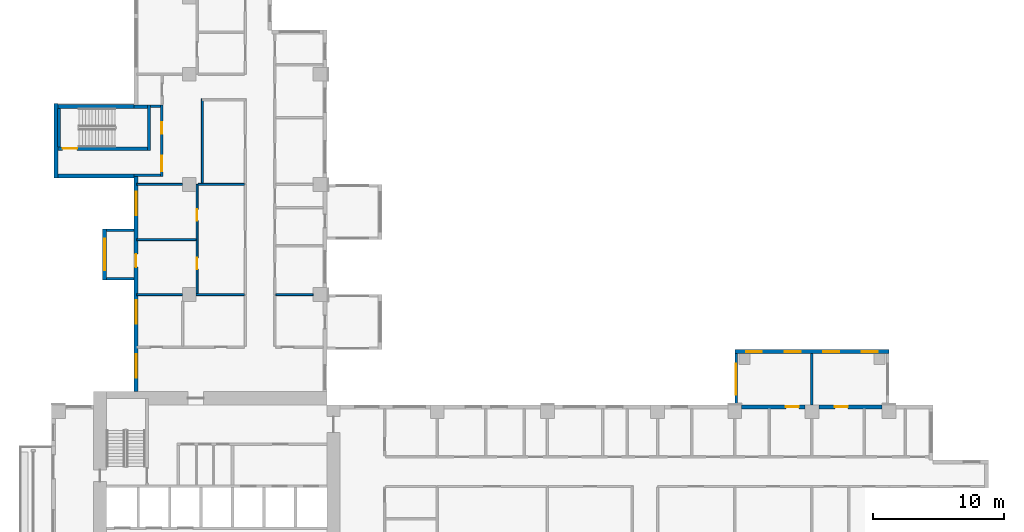
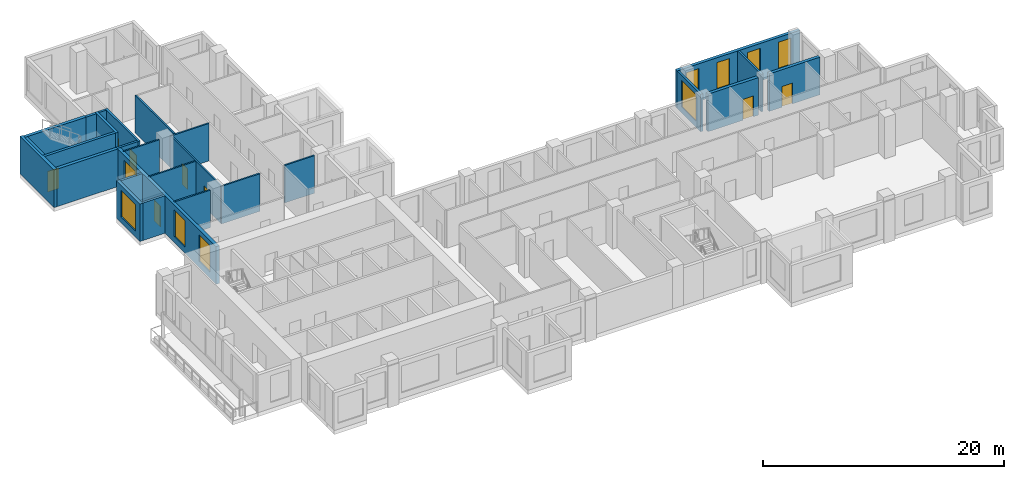
# One storey, part 6 of 14: 27 walls, 9 windows, 8 doors, 17 openings.
"""IFC4 building model written with IfcOpenShell, lengths in metres."""

from ifc_helpers import new_model, si_unit, direction, frame, frame_2d, origin, place, context, subcontext, project, spatial, rectangle, extrude, source, transform, mapped, material, layer, layer_set, type_object, element, fill, save


model = new_model("IFC4")

# Units and contexts
model_context = context("Model", 3, precision=1e-05, world=origin(), true_north=direction((0.0, 1.0)))
body_context = subcontext(model_context, "Body", "Model", "MODEL_VIEW")
ifc_project = project(units=[si_unit("LENGTHUNIT", "METRE"), si_unit("AREAUNIT", "SQUARE_METRE"), si_unit("VOLUMEUNIT", "CUBIC_METRE"), si_unit("PLANEANGLEUNIT", "RADIAN"), si_unit("MASSUNIT", "GRAM", prefix="KILO")], contexts=[model_context])

# Site, building, storey
site_placement = place(None, origin())
site = spatial("IfcSite", under=ifc_project, at=site_placement, CompositionType="ELEMENT")
building_placement = place(site_placement, origin())
building = spatial("IfcBuilding", under=site, at=building_placement, Name="Aurelian Terraces", CompositionType="ELEMENT")
storey_placement = place(building_placement, frame((0.0, 0.0, 111.9)))
storey = spatial("IfcBuildingStorey", under=building, at=storey_placement, Name="L24", CompositionType="ELEMENT", Elevation=111.9)

# Wall
ifc_material_1 = material(Name="Concrete fc' 40 MPa", Category="concrete")
ifc_layer_1 = layer(ifc_material_1, 0.2)
ifc_layer_set_1 = layer_set([ifc_layer_1], Name="BOX BEARING WALL 200")
wall_type_1 = type_object("IfcWallType", Name="BOX BEARING WALL 200", PredefinedType="SOLIDWALL", material=ifc_layer_set_1)
wall_1_placement = place(storey_placement, frame((6.3, 34.3, 0.0), z_axis=(0.0, 0.0, 1.0), x_axis=(-1.0, 0.0, 0.0)))
element("IfcWall", 1, at=wall_1_placement, inside=storey, type_object=wall_type_1, Name="Box return L24 J34.1", PredefinedType="SOLIDWALL", context=body_context, shape_type="SweptSolid", body=[
    extrude(rectangle(XDim=2.1, YDim=0.2, at=frame_2d((1.05, 0.0))), origin(), (0.0, 0.0, 1.0), 3.8),
])

# Wall, opening, window
ifc_layer_2 = layer(ifc_material_1, 0.3)
ifc_layer_set_2 = layer_set([ifc_layer_2], Name="BOX BEARING WALL 300")
wall_type_2 = type_object("IfcWallType", Name="BOX BEARING WALL 300", PredefinedType="SOLIDWALL", material=ifc_layer_set_2)
wall_2_placement = place(storey_placement, frame((4.05, 34.4, 0.0), z_axis=(0.0, 0.0, 1.0), x_axis=(0.0, -1.0, 0.0)))
wall_2 = element("IfcWall", 2, at=wall_2_placement, inside=storey, type_object=wall_type_2, Name="Box wall L24 J34", PredefinedType="SOLIDWALL", context=body_context, shape_type="SweptSolid", body=[
    extrude(rectangle(XDim=3.9, YDim=0.3, at=frame_2d((1.95, 0.0))), origin(), (0.0, 0.0, 1.0), 3.8),
])
shared_shape_1 = source(origin(), body_context, "Body", "SweptSolid", [
    extrude(rectangle(XDim=2.4, YDim=2.7, at=frame_2d((1.2, 1.35))), frame((0.0, 0.16, 0.0), z_axis=(0.0, -1.0, 0.0), x_axis=(1.0, 0.0, 0.0)), (0.0, 0.0, 1.0), 0.32),
])
opening_1_placement = place(wall_2_placement, frame((0.75, 0.0, 0.6)))
opening_1 = element("IfcOpeningElement", 3, at=opening_1_placement, cuts=wall_2, Name="Opening W2427", PredefinedType="OPENING", context=body_context, shape_type="MappedRepresentation", body=[
    mapped(shared_shape_1, transform((0.0, 0.0, 0.0), scale=1.0)),
])
ifc_material_2 = material(Name="Clear glazing", Category="glass")
window_type_1 = type_object("IfcWindowType", Name="W-2400x2700", PartitioningType="SINGLE_PANEL", PredefinedType="WINDOW", material=ifc_material_2)
shared_shape_2 = source(origin(), body_context, "Body", "SweptSolid", [
    extrude(rectangle(XDim=2.4, YDim=2.7, at=frame_2d((1.2, 1.35))), frame((0.0, 0.03, 0.0), z_axis=(0.0, -1.0, 0.0), x_axis=(1.0, 0.0, 0.0)), (0.0, 0.0, 1.0), 0.06),
])
window_1_placement = place(opening_1_placement, origin())
window_1 = element("IfcWindow", 4, at=window_1_placement, inside=storey, type_object=window_type_1, Name="Window L24 J34-F1", OverallHeight=2.7, OverallWidth=2.4, PartitioningType="SINGLE_PANEL", PredefinedType="WINDOW", context=body_context, shape_type="MappedRepresentation", body=[
    mapped(shared_shape_2, transform((0.0, 0.0, 0.0), scale=1.0)),
])
fill(opening_1, window_1)

shared_shape_3 = source(origin(), body_context, "Body", "SweptSolid", [
    extrude(rectangle(XDim=3.9, YDim=0.2, at=frame_2d((1.95, 0.0))), origin(), (0.0, 0.0, 1.0), 3.79),
])
wall_3_placement = place(storey_placement, frame((52.18, 21.0, 0.0), z_axis=(0.0, 0.0, 1.0), x_axis=(0.0, 1.0, 0.0)))
wall_3 = element("IfcWall", 5, at=wall_3_placement, inside=storey, type_object=wall_type_1, Name="Box return L24 K02.2", PredefinedType="SOLIDWALL", context=body_context, shape_type="MappedRepresentation", body=[
    mapped(shared_shape_3, transform((0.0, 0.0, 0.0), scale=1.0)),
])
shared_shape_4 = source(origin(), body_context, "Body", "SweptSolid", [
    extrude(rectangle(XDim=2.4, YDim=2.7, at=frame_2d((1.2, 1.35))), frame((0.0, 0.11, 0.0), z_axis=(0.0, -1.0, 0.0), x_axis=(1.0, 0.0, 0.0)), (0.0, 0.0, 1.0), 0.22),
])
opening_2_placement = place(wall_3_placement, frame((0.75, 0.0, 0.6)))
opening_2 = element("IfcOpeningElement", 6, at=opening_2_placement, cuts=wall_3, Name="Opening W2427", PredefinedType="OPENING", context=body_context, shape_type="MappedRepresentation", body=[
    mapped(shared_shape_4, transform((0.0, 0.0, 0.0), scale=1.0)),
])
window_2_placement = place(opening_2_placement, origin())
window_2 = element("IfcWindow", 7, at=window_2_placement, inside=storey, type_object=window_type_1, Name="Window L24 K02-S2", OverallHeight=2.7, OverallWidth=2.4, PartitioningType="SINGLE_PANEL", PredefinedType="WINDOW", context=body_context, shape_type="MappedRepresentation", body=[
    mapped(shared_shape_2, transform((0.0, 0.0, 0.0), scale=1.0)),
])
fill(opening_2, window_2)

# Wall, openings, windows
shared_shape_5 = source(origin(), body_context, "Body", "SweptSolid", [
    extrude(rectangle(XDim=11.76, YDim=0.3, at=frame_2d((5.88, 0.0))), origin(), (0.0, 0.0, 1.0), 3.79),
])
wall_4_placement = place(storey_placement, frame((63.84, 25.05, 0.0), z_axis=(0.0, 0.0, 1.0), x_axis=(-1.0, 0.0, 0.0)))
wall_4 = element("IfcWall", 8, at=wall_4_placement, inside=storey, type_object=wall_type_2, Name="Box wall L24 K02", PredefinedType="SOLIDWALL", context=body_context, shape_type="MappedRepresentation", body=[
    mapped(shared_shape_5, transform((0.0, 0.0, 0.0), scale=1.0)),
])
shared_shape_6 = source(origin(), body_context, "Body", "SweptSolid", [
    extrude(rectangle(XDim=1.2, YDim=2.7, at=frame_2d((0.6, 1.35))), frame((0.0, 0.16, 0.0), z_axis=(0.0, -1.0, 0.0), x_axis=(1.0, 0.0, 0.0)), (0.0, 0.0, 1.0), 0.32),
])
opening_3_placement = place(wall_4_placement, frame((0.87, 0.0, 0.6)))
opening_3 = element("IfcOpeningElement", 9, at=opening_3_placement, cuts=wall_4, Name="Opening W1227", PredefinedType="OPENING", context=body_context, shape_type="MappedRepresentation", body=[
    mapped(shared_shape_6, transform((0.0, 0.0, 0.0), scale=1.0)),
])
opening_4_placement = place(wall_4_placement, frame((3.81, 0.0, 0.6)))
opening_4 = element("IfcOpeningElement", 10, at=opening_4_placement, cuts=wall_4, Name="Opening W1227", PredefinedType="OPENING", context=body_context, shape_type="MappedRepresentation", body=[
    mapped(shared_shape_6, transform((0.0, 0.0, 0.0), scale=1.0)),
])
opening_5_placement = place(wall_4_placement, frame((6.75, 0.0, 0.6)))
opening_5 = element("IfcOpeningElement", 11, at=opening_5_placement, cuts=wall_4, Name="Opening W1227", PredefinedType="OPENING", context=body_context, shape_type="MappedRepresentation", body=[
    mapped(shared_shape_6, transform((0.0, 0.0, 0.0), scale=1.0)),
])
opening_6_placement = place(wall_4_placement, frame((9.69, 0.0, 0.6)))
opening_6 = element("IfcOpeningElement", 12, at=opening_6_placement, cuts=wall_4, Name="Opening W1227", PredefinedType="OPENING", context=body_context, shape_type="MappedRepresentation", body=[
    mapped(shared_shape_6, transform((0.0, 0.0, 0.0), scale=1.0)),
])
window_type_2 = type_object("IfcWindowType", Name="W-1200x2700", PartitioningType="SINGLE_PANEL", PredefinedType="WINDOW", material=ifc_material_2)
shared_shape_7 = source(origin(), body_context, "Body", "SweptSolid", [
    extrude(rectangle(XDim=1.2, YDim=2.7, at=frame_2d((0.6, 1.35))), frame((0.0, 0.03, 0.0), z_axis=(0.0, -1.0, 0.0), x_axis=(1.0, 0.0, 0.0)), (0.0, 0.0, 1.0), 0.06),
])
window_3_placement = place(opening_3_placement, origin())
window_3 = element("IfcWindow", 13, at=window_3_placement, inside=storey, type_object=window_type_2, Name="Window L24 K02-F1", OverallHeight=2.7, OverallWidth=1.2, PartitioningType="SINGLE_PANEL", PredefinedType="WINDOW", context=body_context, shape_type="MappedRepresentation", body=[
    mapped(shared_shape_7, transform((0.0, 0.0, 0.0), scale=1.0)),
])
fill(opening_3, window_3)
window_4_placement = place(opening_4_placement, origin())
window_4 = element("IfcWindow", 14, at=window_4_placement, inside=storey, type_object=window_type_2, Name="Window L24 K02-F2", OverallHeight=2.7, OverallWidth=1.2, PartitioningType="SINGLE_PANEL", PredefinedType="WINDOW", context=body_context, shape_type="MappedRepresentation", body=[
    mapped(shared_shape_7, transform((0.0, 0.0, 0.0), scale=1.0)),
])
fill(opening_4, window_4)
window_5_placement = place(opening_5_placement, origin())
window_5 = element("IfcWindow", 15, at=window_5_placement, inside=storey, type_object=window_type_2, Name="Window L24 K02-F3", OverallHeight=2.7, OverallWidth=1.2, PartitioningType="SINGLE_PANEL", PredefinedType="WINDOW", context=body_context, shape_type="MappedRepresentation", body=[
    mapped(shared_shape_7, transform((0.0, 0.0, 0.0), scale=1.0)),
])
fill(opening_5, window_5)
window_6_placement = place(opening_6_placement, origin())
window_6 = element("IfcWindow", 16, at=window_6_placement, inside=storey, type_object=window_type_2, Name="Window L24 K02-F4", OverallHeight=2.7, OverallWidth=1.2, PartitioningType="SINGLE_PANEL", PredefinedType="WINDOW", context=body_context, shape_type="MappedRepresentation", body=[
    mapped(shared_shape_7, transform((0.0, 0.0, 0.0), scale=1.0)),
])
fill(opening_6, window_6)

# Walls
shared_shape_8 = source(origin(), body_context, "Body", "SweptSolid", [
    extrude(rectangle(XDim=3.9, YDim=0.2, at=frame_2d((1.95, 0.0))), origin(), (0.0, 0.0, 1.0), 3.79),
])
wall_5_placement = place(storey_placement, frame((57.96, 21.0, 0.0), z_axis=(0.0, 0.0, 1.0), x_axis=(0.0, 1.0, 0.0)))
element("IfcWall", 17, at=wall_5_placement, inside=storey, type_object=wall_type_1, Name="Box partition L24 K02", PredefinedType="SOLIDWALL", context=body_context, shape_type="MappedRepresentation", body=[
    mapped(shared_shape_8, transform((0.0, 0.0, 0.0), scale=1.0)),
])
ifc_layer_3 = layer(ifc_material_1, 0.3)
ifc_layer_set_3 = layer_set([ifc_layer_3], Name="STAIR BAY WALL 300")
wall_type_3 = type_object("IfcWallType", Name="STAIR BAY WALL 300", PredefinedType="SOLIDWALL", material=ifc_layer_set_3)
shared_shape_9 = source(origin(), body_context, "Body", "SweptSolid", [
    extrude(rectangle(XDim=6.1, YDim=0.3, at=frame_2d((3.05, 0.0))), origin(), (0.0, 0.0, 1.0), 3.8),
])
for number, where, z_axis, x_axis, name in (
    (18, (6.3, 43.75, 0.0), (0.0, 0.0, 1.0), (-1.0, 0.0, 0.0), "Stair bay wall L24 F13.30"),
    (19, (0.2, 38.45, 0.0), (0.0, 0.0, 1.0), (1.0, 0.0, 0.0), "Stair bay wall L24 F15.32"),
):
    element("IfcWall", number, at=place(storey_placement, frame(where, z_axis=z_axis, x_axis=x_axis)), inside=storey, type_object=wall_type_3, Name=name, PredefinedType="SOLIDWALL", context=body_context, shape_type="MappedRepresentation", body=[
        mapped(shared_shape_9, transform((0.0, 0.0, 0.0), scale=1.0)),
    ])

# Wall, opening, door
ifc_material_3 = material(Name="Terracotta rainscreen cladding", Category="masonry")
ifc_layer_4 = layer(ifc_material_3, 0.3)
ifc_layer_set_4 = layer_set([ifc_layer_4], Name="EW-300")
wall_type_4 = type_object("IfcWallType", Name="EW-300", PredefinedType="STANDARD", material=ifc_layer_set_4)
shared_shape_10 = source(origin(), body_context, "Body", "SweptSolid", [
    extrude(rectangle(XDim=4.83, YDim=0.3, at=frame_2d((2.415, 0.0))), origin(), (0.0, 0.0, 1.0), 3.8),
])
wall_6_placement = place(storey_placement, frame((63.315, 20.85, 0.0), z_axis=(0.0, 0.0, 1.0), x_axis=(-1.0, 0.0, 0.0)))
wall_6 = element("IfcWall", 20, at=wall_6_placement, inside=storey, type_object=wall_type_4, Name="External wall L24 F07.19", PredefinedType="STANDARD", context=body_context, shape_type="MappedRepresentation", body=[
    mapped(shared_shape_10, transform((0.0, 0.0, 0.0), scale=1.0)),
])
shared_shape_11 = source(origin(), body_context, "Body", "SweptSolid", [
    extrude(rectangle(XDim=1.0, YDim=2.1, at=frame_2d((0.5, 1.05))), frame((0.0, 0.16, 0.0), z_axis=(0.0, -1.0, 0.0), x_axis=(1.0, 0.0, 0.0)), (0.0, 0.0, 1.0), 0.32),
])
opening_7_placement = place(wall_6_placement, frame((2.615, 0.0, 0.0)))
opening_7 = element("IfcOpeningElement", 21, at=opening_7_placement, cuts=wall_6, Name="Opening 824006", PredefinedType="OPENING", context=body_context, shape_type="MappedRepresentation", body=[
    mapped(shared_shape_11, transform((0.0, 0.0, 0.0), scale=1.0)),
])
ifc_material_4 = material(Name="Timber door leaf", Category="wood")
door_type_1 = type_object("IfcDoorType", Name="Room door 1000x2100 left", OperationType="SINGLE_SWING_LEFT", PredefinedType="DOOR", material=ifc_material_4)
shared_shape_12 = source(origin(), body_context, "Body", "SweptSolid", [
    extrude(rectangle(XDim=1.0, YDim=2.1, at=frame_2d((0.5, 1.05))), frame((0.0, 0.025, 0.0), z_axis=(0.0, -1.0, 0.0), x_axis=(1.0, 0.0, 0.0)), (0.0, 0.0, 1.0), 0.05),
])
door_1_placement = place(opening_7_placement, origin())
door_1 = element("IfcDoor", 22, at=door_1_placement, inside=storey, type_object=door_type_1, Name="Door 824006", OperationType="SINGLE_SWING_LEFT", OverallHeight=2.1, OverallWidth=1.0, PredefinedType="DOOR", context=body_context, shape_type="MappedRepresentation", body=[
    mapped(shared_shape_12, transform((0.0, 0.0, 0.0), scale=1.0)),
])
fill(opening_7, door_1)

wall_7_placement = place(storey_placement, frame((57.435, 20.85, 0.0), z_axis=(0.0, 0.0, 1.0), x_axis=(-1.0, 0.0, 0.0)))
wall_7 = element("IfcWall", 23, at=wall_7_placement, inside=storey, type_object=wall_type_4, Name="External wall L24 F07.19", PredefinedType="STANDARD", context=body_context, shape_type="MappedRepresentation", body=[
    mapped(shared_shape_10, transform((0.0, 0.0, 0.0), scale=1.0)),
])
opening_8_placement = place(wall_7_placement, frame((0.4683, 0.0, 0.0)))
opening_8 = element("IfcOpeningElement", 24, at=opening_8_placement, cuts=wall_7, Name="Opening 824007", PredefinedType="OPENING", context=body_context, shape_type="MappedRepresentation", body=[
    mapped(shared_shape_11, transform((0.0, 0.0, 0.0), scale=1.0)),
])
door_2_placement = place(opening_8_placement, origin())
door_2 = element("IfcDoor", 25, at=door_2_placement, inside=storey, type_object=door_type_1, Name="Door 824007", OperationType="SINGLE_SWING_LEFT", OverallHeight=2.1, OverallWidth=1.0, PredefinedType="DOOR", context=body_context, shape_type="MappedRepresentation", body=[
    mapped(shared_shape_12, transform((0.0, 0.0, 0.0), scale=1.0)),
])
fill(opening_8, door_2)

# Walls
shared_shape_13 = source(origin(), body_context, "Body", "SweptSolid", [
    extrude(rectangle(XDim=5.65, YDim=0.3, at=frame_2d((2.825, 0.0))), origin(), (0.0, 0.0, 1.0), 3.8),
])
wall_8_placement = place(storey_placement, frame((0.35, 43.95, 0.0), z_axis=(0.0, 0.0, 1.0), x_axis=(0.0, -1.0, 0.0)))
element("IfcWall", 26, at=wall_8_placement, inside=storey, type_object=wall_type_3, Name="Stair bay wall L24 F14.31", PredefinedType="SOLIDWALL", context=body_context, shape_type="MappedRepresentation", body=[
    mapped(shared_shape_13, transform((0.0, 0.0, 0.0), scale=1.0)),
])
shared_shape_14 = source(origin(), body_context, "Body", "SweptSolid", [
    extrude(rectangle(XDim=2.1, YDim=0.2, at=frame_2d((1.05, 0.0))), origin(), (0.0, 0.0, 1.0), 3.8),
])
wall_9_placement = place(storey_placement, frame((6.3, 30.6, 0.0), z_axis=(0.0, 0.0, 1.0), x_axis=(-1.0, 0.0, 0.0)))
element("IfcWall", 27, at=wall_9_placement, inside=storey, type_object=wall_type_1, Name="Box return L24 J34.2", PredefinedType="SOLIDWALL", context=body_context, shape_type="MappedRepresentation", body=[
    mapped(shared_shape_14, transform((0.0, 0.0, 0.0), scale=1.0)),
])

# Wall, openings, windows, door
shared_shape_15 = source(origin(), body_context, "Body", "SweptSolid", [
    extrude(rectangle(XDim=16.4, YDim=0.3, at=frame_2d((8.2, 0.0))), origin(), (0.0, 0.0, 1.0), 3.8),
])
wall_10_placement = place(storey_placement, frame((6.45, 38.4, 0.0), z_axis=(0.0, 0.0, 1.0), x_axis=(0.0, -1.0, 0.0)))
wall_10 = element("IfcWall", 28, at=wall_10_placement, inside=storey, type_object=wall_type_4, Name="External wall L24 F16.33", PredefinedType="STANDARD", context=body_context, shape_type="MappedRepresentation", body=[
    mapped(shared_shape_15, transform((0.0, 0.0, 0.0), scale=1.0)),
])
shared_shape_16 = source(origin(), body_context, "Body", "SweptSolid", [
    extrude(rectangle(XDim=1.8, YDim=2.7, at=frame_2d((0.9, 1.35))), frame((0.0, 0.16, 0.0), z_axis=(0.0, -1.0, 0.0), x_axis=(1.0, 0.0, 0.0)), (0.0, 0.0, 1.0), 0.32),
])
opening_9_placement = place(wall_10_placement, frame((1.15, 0.0, 0.6)))
opening_9 = element("IfcOpeningElement", 29, at=opening_9_placement, cuts=wall_10, Name="Opening W1827", PredefinedType="OPENING", context=body_context, shape_type="MappedRepresentation", body=[
    mapped(shared_shape_16, transform((0.0, 0.0, 0.0), scale=1.0)),
])
opening_10_placement = place(wall_10_placement, frame((9.4375, 0.0, 0.6)))
opening_10 = element("IfcOpeningElement", 30, at=opening_10_placement, cuts=wall_10, Name="Opening W1827", PredefinedType="OPENING", context=body_context, shape_type="MappedRepresentation", body=[
    mapped(shared_shape_16, transform((0.0, 0.0, 0.0), scale=1.0)),
])
opening_11_placement = place(wall_10_placement, frame((13.5375, 0.0, 0.6)))
opening_11 = element("IfcOpeningElement", 31, at=opening_11_placement, cuts=wall_10, Name="Opening W1827", PredefinedType="OPENING", context=body_context, shape_type="MappedRepresentation", body=[
    mapped(shared_shape_16, transform((0.0, 0.0, 0.0), scale=1.0)),
])
opening_12_placement = place(wall_10_placement, frame((5.9083, 0.0, 0.0)))
opening_12 = element("IfcOpeningElement", 32, at=opening_12_placement, cuts=wall_10, Name="Opening 824004", PredefinedType="OPENING", context=body_context, shape_type="MappedRepresentation", body=[
    mapped(shared_shape_11, transform((0.0, 0.0, 0.0), scale=1.0)),
])
window_type_3 = type_object("IfcWindowType", Name="W-1800x2700", PartitioningType="SINGLE_PANEL", PredefinedType="WINDOW", material=ifc_material_2)
shared_shape_17 = source(origin(), body_context, "Body", "SweptSolid", [
    extrude(rectangle(XDim=1.8, YDim=2.7, at=frame_2d((0.9, 1.35))), frame((0.0, 0.03, 0.0), z_axis=(0.0, -1.0, 0.0), x_axis=(1.0, 0.0, 0.0)), (0.0, 0.0, 1.0), 0.06),
])
window_7_placement = place(opening_9_placement, origin())
window_7 = element("IfcWindow", 33, at=window_7_placement, inside=storey, type_object=window_type_3, Name="Window L24 L24-F16-33-0", OverallHeight=2.7, OverallWidth=1.8, PartitioningType="SINGLE_PANEL", PredefinedType="WINDOW", context=body_context, shape_type="MappedRepresentation", body=[
    mapped(shared_shape_17, transform((0.0, 0.0, 0.0), scale=1.0)),
])
fill(opening_9, window_7)
window_8_placement = place(opening_10_placement, origin())
window_8 = element("IfcWindow", 34, at=window_8_placement, inside=storey, type_object=window_type_3, Name="Window L24 L24-F16-33-2", OverallHeight=2.7, OverallWidth=1.8, PartitioningType="SINGLE_PANEL", PredefinedType="WINDOW", context=body_context, shape_type="MappedRepresentation", body=[
    mapped(shared_shape_17, transform((0.0, 0.0, 0.0), scale=1.0)),
])
fill(opening_10, window_8)
window_9_placement = place(opening_11_placement, origin())
window_9 = element("IfcWindow", 35, at=window_9_placement, inside=storey, type_object=window_type_3, Name="Window L24 L24-F16-33-3", OverallHeight=2.7, OverallWidth=1.8, PartitioningType="SINGLE_PANEL", PredefinedType="WINDOW", context=body_context, shape_type="MappedRepresentation", body=[
    mapped(shared_shape_17, transform((0.0, 0.0, 0.0), scale=1.0)),
])
fill(opening_11, window_9)
door_3_placement = place(opening_12_placement, origin())
door_3 = element("IfcDoor", 36, at=door_3_placement, inside=storey, type_object=door_type_1, Name="Door 824004", OperationType="SINGLE_SWING_LEFT", OverallHeight=2.1, OverallWidth=1.0, PredefinedType="DOOR", context=body_context, shape_type="MappedRepresentation", body=[
    mapped(shared_shape_12, transform((0.0, 0.0, 0.0), scale=1.0)),
])
fill(opening_12, door_3)

# Wall, opening, door
ifc_layer_5 = layer(ifc_material_1, 0.25)
ifc_layer_set_5 = layer_set([ifc_layer_5], Name="Stair enclosure wall 250")
wall_type_5 = type_object("IfcWallType", Name="Stair enclosure wall 250", PredefinedType="SOLIDWALL", material=ifc_layer_set_5)
shared_shape_18 = source(origin(), body_context, "Body", "SweptSolid", [
    extrude(rectangle(XDim=7.0, YDim=0.25, at=frame_2d((3.5, 0.0))), origin(), (0.0, 0.0, 1.0), 3.8),
])
wall_11_placement = place(storey_placement, frame((0.3, 40.525, 0.0), z_axis=(0.0, 0.0, 1.0), x_axis=(1.0, 0.0, 0.0)))
wall_11 = element("IfcWall", 37, at=wall_11_placement, inside=storey, type_object=wall_type_5, Name="L24 core wall ST-S3-W", PredefinedType="SOLIDWALL", context=body_context, shape_type="MappedRepresentation", body=[
    mapped(shared_shape_18, transform((0.0, 0.0, 0.0), scale=1.0)),
])
shared_shape_19 = source(origin(), body_context, "Body", "SweptSolid", [
    extrude(rectangle(XDim=1.1, YDim=2.1, at=frame_2d((0.55, 1.05))), frame((0.0, 0.135, 0.0), z_axis=(0.0, -1.0, 0.0), x_axis=(1.0, 0.0, 0.0)), (0.0, 0.0, 1.0), 0.27),
])
opening_13_placement = place(wall_11_placement, frame((0.55, 0.0, 0.0)))
opening_13 = element("IfcOpeningElement", 38, at=opening_13_placement, cuts=wall_11, Name="Opening 62718", PredefinedType="OPENING", context=body_context, shape_type="MappedRepresentation", body=[
    mapped(shared_shape_19, transform((0.0, 0.0, 0.0), scale=1.0)),
])
ifc_material_5 = material(Name="Steel door leaf", Category="steel")
door_type_2 = type_object("IfcDoorType", Name="Core fire door 1100x2100 right", OperationType="SINGLE_SWING_RIGHT", PredefinedType="DOOR", material=ifc_material_5)
shared_shape_20 = source(origin(), body_context, "Body", "SweptSolid", [
    extrude(rectangle(XDim=1.1, YDim=2.1, at=frame_2d((0.55, 1.05))), frame((0.0, 0.025, 0.0), z_axis=(0.0, -1.0, 0.0), x_axis=(1.0, 0.0, 0.0)), (0.0, 0.0, 1.0), 0.05),
])
door_4_placement = place(opening_13_placement, origin())
door_4 = element("IfcDoor", 39, at=door_4_placement, inside=storey, type_object=door_type_2, Name="Stair door 62718", OperationType="SINGLE_SWING_RIGHT", OverallHeight=2.1, OverallWidth=1.1, PredefinedType="DOOR", context=body_context, shape_type="MappedRepresentation", body=[
    mapped(shared_shape_20, transform((0.0, 0.0, 0.0), scale=1.0)),
])
fill(opening_13, door_4)

# Walls
shared_shape_21 = source(origin(), body_context, "Body", "SweptSolid", [
    extrude(rectangle(XDim=3.45, YDim=0.25, at=frame_2d((1.725, 0.0))), origin(), (0.0, 0.0, 1.0), 3.8),
])
wall_12_placement = place(storey_placement, frame((7.425, 40.4, 0.0), z_axis=(0.0, 0.0, 1.0), x_axis=(0.0, 1.0, 0.0)))
element("IfcWall", 40, at=wall_12_placement, inside=storey, type_object=wall_type_5, Name="L24 core wall ST-S3-N", PredefinedType="SOLIDWALL", context=body_context, shape_type="MappedRepresentation", body=[
    mapped(shared_shape_21, transform((0.0, 0.0, 0.0), scale=1.0)),
])
shared_shape_22 = source(origin(), body_context, "Body", "SweptSolid", [
    extrude(rectangle(XDim=2.95, YDim=0.25, at=frame_2d((1.475, 0.0))), origin(), (0.0, 0.0, 1.0), 3.8),
])
wall_13_placement = place(storey_placement, frame((0.575, 40.65, 0.0), z_axis=(0.0, 0.0, 1.0), x_axis=(0.0, 1.0, 0.0)))
element("IfcWall", 41, at=wall_13_placement, inside=storey, type_object=wall_type_5, Name="L24 core wall ST-S3-SS", PredefinedType="SOLIDWALL", context=body_context, shape_type="MappedRepresentation", body=[
    mapped(shared_shape_22, transform((0.0, 0.0, 0.0), scale=1.0)),
])

# Wall, openings, doors
ifc_material_6 = material(Name="Gypsum board on steel studs", Category="steel")
ifc_layer_6 = layer(ifc_material_6, 0.2)
ifc_layer_set_6 = layer_set([ifc_layer_6], Name="Core partition 200")
wall_type_6 = type_object("IfcWallType", Name="Core partition 200", PredefinedType="PARTITIONING", material=ifc_layer_set_6)
shared_shape_23 = source(origin(), body_context, "Body", "SweptSolid", [
    extrude(rectangle(XDim=5.45, YDim=0.2, at=frame_2d((2.725, 0.0))), origin(), (0.0, 0.0, 1.0), 3.8),
])
wall_14_placement = place(storey_placement, frame((8.4, 38.4, 0.0), z_axis=(0.0, 0.0, 1.0), x_axis=(0.0, 1.0, 0.0)))
wall_14 = element("IfcWall", 42, at=wall_14_placement, inside=storey, type_object=wall_type_6, Name="L24 core wall ST-S3-BN", PredefinedType="PARTITIONING", context=body_context, shape_type="MappedRepresentation", body=[
    mapped(shared_shape_23, transform((0.0, 0.0, 0.0), scale=1.0)),
])
shared_shape_24 = source(origin(), body_context, "Body", "SweptSolid", [
    extrude(rectangle(XDim=1.2, YDim=2.1, at=frame_2d((0.6, 1.05))), frame((0.0, 0.11, 0.0), z_axis=(0.0, -1.0, 0.0), x_axis=(1.0, 0.0, 0.0)), (0.0, 0.0, 1.0), 0.22),
])
opening_14_placement = place(wall_14_placement, frame((0.4, 0.0, 0.0)))
opening_14 = element("IfcOpeningElement", 43, at=opening_14_placement, cuts=wall_14, Name="Opening 62719", PredefinedType="OPENING", context=body_context, shape_type="MappedRepresentation", body=[
    mapped(shared_shape_24, transform((0.0, 0.0, 0.0), scale=1.0)),
])
shared_shape_25 = source(origin(), body_context, "Body", "SweptSolid", [
    extrude(rectangle(XDim=0.9, YDim=2.1, at=frame_2d((0.45, 1.05))), frame((0.0, 0.11, 0.0), z_axis=(0.0, -1.0, 0.0), x_axis=(1.0, 0.0, 0.0)), (0.0, 0.0, 1.0), 0.22),
])
opening_15_placement = place(wall_14_placement, frame((3.25, 0.0, 0.0)))
opening_15 = element("IfcOpeningElement", 44, at=opening_15_placement, cuts=wall_14, Name="Opening 62720", PredefinedType="OPENING", context=body_context, shape_type="MappedRepresentation", body=[
    mapped(shared_shape_25, transform((0.0, 0.0, 0.0), scale=1.0)),
])
door_type_3 = type_object("IfcDoorType", Name="Core riser door 900x2100 right", OperationType="SINGLE_SWING_RIGHT", PredefinedType="DOOR", material=ifc_material_5)
shared_shape_26 = source(origin(), body_context, "Body", "SweptSolid", [
    extrude(rectangle(XDim=0.9, YDim=2.1, at=frame_2d((0.45, 1.05))), frame((0.0, 0.025, 0.0), z_axis=(0.0, -1.0, 0.0), x_axis=(1.0, 0.0, 0.0)), (0.0, 0.0, 1.0), 0.05),
])
door_5_placement = place(opening_15_placement, origin())
door_5 = element("IfcDoor", 45, at=door_5_placement, inside=storey, type_object=door_type_3, Name="Riser door 62720", OperationType="SINGLE_SWING_RIGHT", OverallHeight=2.1, OverallWidth=0.9, PredefinedType="DOOR", context=body_context, shape_type="MappedRepresentation", body=[
    mapped(shared_shape_26, transform((0.0, 0.0, 0.0), scale=1.0)),
])
fill(opening_15, door_5)
door_type_4 = type_object("IfcDoorType", Name="Core fire door 1200x2100", OperationType="SINGLE_SWING_LEFT", PredefinedType="DOOR", material=ifc_material_5)
shared_shape_27 = source(origin(), body_context, "Body", "SweptSolid", [
    extrude(rectangle(XDim=1.2, YDim=2.1, at=frame_2d((0.6, 1.05))), frame((0.0, 0.025, 0.0), z_axis=(0.0, -1.0, 0.0), x_axis=(1.0, 0.0, 0.0)), (0.0, 0.0, 1.0), 0.05),
])
door_6_placement = place(opening_14_placement, origin())
door_6 = element("IfcDoor", 46, at=door_6_placement, inside=storey, type_object=door_type_4, Name="Vestibule door 62719", OperationType="SINGLE_SWING_LEFT", OverallHeight=2.1, OverallWidth=1.2, PredefinedType="DOOR", context=body_context, shape_type="MappedRepresentation", body=[
    mapped(shared_shape_27, transform((0.0, 0.0, 0.0), scale=1.0)),
])
fill(opening_14, door_6)

# Walls
shared_shape_28 = source(origin(), body_context, "Body", "SweptSolid", [
    extrude(rectangle(XDim=0.75, YDim=0.2, at=frame_2d((0.375, 0.0))), origin(), (0.0, 0.0, 1.0), 3.8),
])
wall_15_placement = place(storey_placement, frame((7.55, 43.75, 0.0), z_axis=(0.0, 0.0, 1.0), x_axis=(1.0, 0.0, 0.0)))
element("IfcWall", 47, at=wall_15_placement, inside=storey, type_object=wall_type_6, Name="L24 core wall ST-S3-RE", PredefinedType="PARTITIONING", context=body_context, shape_type="MappedRepresentation", body=[
    mapped(shared_shape_28, transform((0.0, 0.0, 0.0), scale=1.0)),
])
shared_shape_29 = source(origin(), body_context, "Body", "SweptSolid", [
    extrude(rectangle(XDim=1.0, YDim=0.25, at=frame_2d((0.5, 0.0))), origin(), (0.0, 0.0, 1.0), 3.8),
])
wall_16_placement = place(storey_placement, frame((6.3, 43.725, 0.0), z_axis=(0.0, 0.0, 1.0), x_axis=(1.0, 0.0, 0.0)))
element("IfcWall", 48, at=wall_16_placement, inside=storey, type_object=wall_type_5, Name="L24 core wall ST-S3-E", PredefinedType="SOLIDWALL", context=body_context, shape_type="MappedRepresentation", body=[
    mapped(shared_shape_29, transform((0.0, 0.0, 0.0), scale=1.0)),
])
shared_shape_30 = source(origin(), body_context, "Body", "SweptSolid", [
    extrude(rectangle(XDim=2.0, YDim=0.2, at=frame_2d((1.0, 0.0))), origin(), (0.0, 0.0, 1.0), 3.8),
])
wall_17_placement = place(storey_placement, frame((6.3, 38.5, 0.0), z_axis=(0.0, 0.0, 1.0), x_axis=(1.0, 0.0, 0.0)))
element("IfcWall", 49, at=wall_17_placement, inside=storey, type_object=wall_type_6, Name="L24 core wall ST-S3-VW", PredefinedType="PARTITIONING", context=body_context, shape_type="MappedRepresentation", body=[
    mapped(shared_shape_30, transform((0.0, 0.0, 0.0), scale=1.0)),
])
ifc_layer_7 = layer(ifc_material_6, 0.15)
ifc_layer_set_7 = layer_set([ifc_layer_7], Name="Partition 150")
wall_type_7 = type_object("IfcWallType", Name="Partition 150", PredefinedType="PARTITIONING", material=ifc_layer_set_7)
shared_shape_31 = source(origin(), body_context, "Body", "SweptSolid", [
    extrude(rectangle(XDim=6.45, YDim=0.15, at=frame_2d((3.225, 0.0))), origin(), (0.0, 0.0, 1.0), 3.8),
])
wall_18_placement = place(storey_placement, frame((11.5, 44.325, 0.0), z_axis=(0.0, 0.0, 1.0), x_axis=(0.0, -1.0, 0.0)))
element("IfcWall", 50, at=wall_18_placement, inside=storey, type_object=wall_type_7, Name="Partition", PredefinedType="PARTITIONING", context=body_context, shape_type="MappedRepresentation", body=[
    mapped(shared_shape_31, transform((0.0, 0.0, 0.0), scale=1.0)),
])

# Wall, openings, doors
shared_shape_32 = source(origin(), body_context, "Body", "SweptSolid", [
    extrude(rectangle(XDim=8.4, YDim=0.15, at=frame_2d((4.2, 0.0))), origin(), (0.0, 0.0, 1.0), 3.8),
])
wall_19_placement = place(storey_placement, frame((11.1, 29.4, 0.0), z_axis=(0.0, 0.0, 1.0), x_axis=(0.0, 1.0, 0.0)))
wall_19 = element("IfcWall", 51, at=wall_19_placement, inside=storey, type_object=wall_type_7, Name="Partition", PredefinedType="PARTITIONING", context=body_context, shape_type="MappedRepresentation", body=[
    mapped(shared_shape_32, transform((0.0, 0.0, 0.0), scale=1.0)),
])
shared_shape_33 = source(origin(), body_context, "Body", "SweptSolid", [
    extrude(rectangle(XDim=0.9, YDim=2.1, at=frame_2d((0.45, 1.05))), frame((0.0, 0.085, 0.0), z_axis=(0.0, -1.0, 0.0), x_axis=(1.0, 0.0, 0.0)), (0.0, 0.0, 1.0), 0.17),
])
opening_16_placement = place(wall_19_placement, frame((1.925, 0.0, 0.0)))
opening_16 = element("IfcOpeningElement", 52, at=opening_16_placement, cuts=wall_19, Name="Opening 724037", PredefinedType="OPENING", context=body_context, shape_type="MappedRepresentation", body=[
    mapped(shared_shape_33, transform((0.0, 0.0, 0.0), scale=1.0)),
])
opening_17_placement = place(wall_19_placement, frame((5.625, 0.0, 0.0)))
opening_17 = element("IfcOpeningElement", 53, at=opening_17_placement, cuts=wall_19, Name="Opening 724038", PredefinedType="OPENING", context=body_context, shape_type="MappedRepresentation", body=[
    mapped(shared_shape_33, transform((0.0, 0.0, 0.0), scale=1.0)),
])
door_type_5 = type_object("IfcDoorType", Name="Room door 900x2100 left", OperationType="SINGLE_SWING_LEFT", PredefinedType="DOOR", material=ifc_material_4)
door_7_placement = place(opening_16_placement, origin())
door_7 = element("IfcDoor", 54, at=door_7_placement, inside=storey, type_object=door_type_5, Name="Door 724037", OperationType="SINGLE_SWING_LEFT", OverallHeight=2.1, OverallWidth=0.9, PredefinedType="DOOR", context=body_context, shape_type="MappedRepresentation", body=[
    mapped(shared_shape_26, transform((0.0, 0.0, 0.0), scale=1.0)),
])
fill(opening_16, door_7)
door_type_6 = type_object("IfcDoorType", Name="Room door 900x2100 right", OperationType="SINGLE_SWING_RIGHT", PredefinedType="DOOR", material=ifc_material_4)
door_8_placement = place(opening_17_placement, origin())
door_8 = element("IfcDoor", 55, at=door_8_placement, inside=storey, type_object=door_type_6, Name="Door 724038", OperationType="SINGLE_SWING_RIGHT", OverallHeight=2.1, OverallWidth=0.9, PredefinedType="DOOR", context=body_context, shape_type="MappedRepresentation", body=[
    mapped(shared_shape_26, transform((0.0, 0.0, 0.0), scale=1.0)),
])
fill(opening_17, door_8)

# Walls
shared_shape_34 = source(origin(), body_context, "Body", "SweptSolid", [
    extrude(rectangle(XDim=2.851, YDim=0.15, at=frame_2d((1.4255, 0.0))), origin(), (0.0, 0.0, 1.0), 3.8),
])
wall_20_placement = place(storey_placement, frame((19.951, 29.4, 0.0), z_axis=(0.0, 0.0, 1.0), x_axis=(-1.0, 0.0, 0.0)))
element("IfcWall", 56, at=wall_20_placement, inside=storey, type_object=wall_type_7, Name="Partition", PredefinedType="PARTITIONING", context=body_context, shape_type="MappedRepresentation", body=[
    mapped(shared_shape_34, transform((0.0, 0.0, 0.0), scale=1.0)),
])
shared_shape_35 = source(origin(), body_context, "Body", "SweptSolid", [
    extrude(rectangle(XDim=3.471, YDim=0.15, at=frame_2d((1.7355, 0.0))), origin(), (0.0, 0.0, 1.0), 3.8),
])
for number, where, z_axis, x_axis, name in (
    (57, (9.976, 29.4, 0.0), (0.0, 0.0, 1.0), (-1.0, 0.0, 0.0), "Partition"),
    (58, (9.976, 37.8, 0.0), (0.0, 0.0, 1.0), (-1.0, 0.0, 0.0), "Partition"),
):
    element("IfcWall", number, at=place(storey_placement, frame(where, z_axis=z_axis, x_axis=x_axis)), inside=storey, type_object=wall_type_7, Name=name, PredefinedType="PARTITIONING", context=body_context, shape_type="MappedRepresentation", body=[
        mapped(shared_shape_35, transform((0.0, 0.0, 0.0), scale=1.0)),
    ])
shared_shape_36 = source(origin(), body_context, "Body", "SweptSolid", [
    extrude(rectangle(XDim=3.525, YDim=0.15, at=frame_2d((1.7625, 0.0))), origin(), (0.0, 0.0, 1.0), 3.8),
])
wall_21_placement = place(storey_placement, frame((14.7, 37.8, 0.0), z_axis=(0.0, 0.0, 1.0), x_axis=(-1.0, 0.0, 0.0)))
element("IfcWall", 59, at=wall_21_placement, inside=storey, type_object=wall_type_7, Name="Partition", PredefinedType="PARTITIONING", context=body_context, shape_type="MappedRepresentation", body=[
    mapped(shared_shape_36, transform((0.0, 0.0, 0.0), scale=1.0)),
])
shared_shape_37 = source(origin(), body_context, "Body", "SweptSolid", [
    extrude(rectangle(XDim=3.676, YDim=0.15, at=frame_2d((1.838, 0.0))), origin(), (0.0, 0.0, 1.0), 3.8),
])
wall_22_placement = place(storey_placement, frame((14.7, 29.4, 0.0), z_axis=(0.0, 0.0, 1.0), x_axis=(-1.0, 0.0, 0.0)))
element("IfcWall", 60, at=wall_22_placement, inside=storey, type_object=wall_type_7, Name="Partition", PredefinedType="PARTITIONING", context=body_context, shape_type="MappedRepresentation", body=[
    mapped(shared_shape_37, transform((0.0, 0.0, 0.0), scale=1.0)),
])
shared_shape_38 = source(origin(), body_context, "Body", "SweptSolid", [
    extrude(rectangle(XDim=4.52, YDim=0.15, at=frame_2d((2.26, 0.0))), origin(), (0.0, 0.0, 1.0), 3.8),
])
wall_23_placement = place(storey_placement, frame((11.025, 33.6, 0.0), z_axis=(0.0, 0.0, 1.0), x_axis=(-1.0, 0.0, 0.0)))
element("IfcWall", 61, at=wall_23_placement, inside=storey, type_object=wall_type_7, Name="Partition", PredefinedType="PARTITIONING", context=body_context, shape_type="MappedRepresentation", body=[
    mapped(shared_shape_38, transform((0.0, 0.0, 0.0), scale=1.0)),
])

save(model, "model.ifc")
